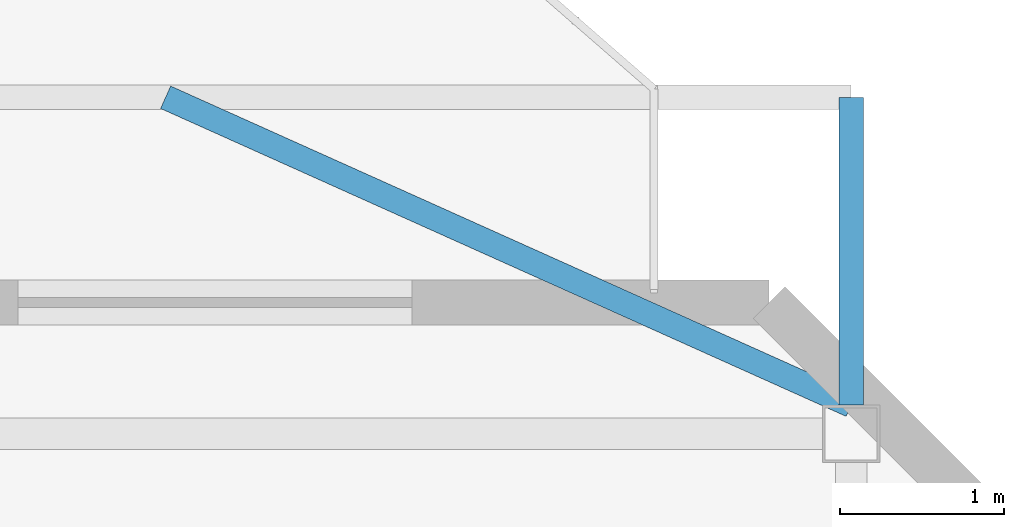
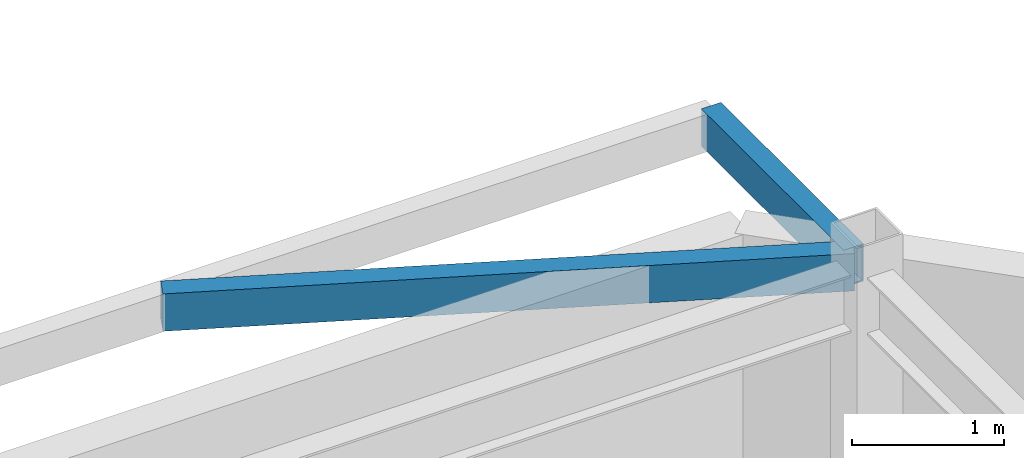
# One storey, part 8 of 15: 2 beams.
"""IFC4 building model written with IfcOpenShell, lengths in metres."""

from ifc_helpers import new_model, si_unit, direction, frame, origin, origin_2d, place, context, subcontext, project, spatial, hollow_rectangle, extrude, material, material_profile, profile_set, type_object, element, save


model = new_model("IFC4")

# Units and contexts
model_context = context("Model", 3, precision=1e-05, world=origin(), true_north=direction((0.0, 1.0)))
body_context = subcontext(model_context, "Body", "Model", "MODEL_VIEW")
ifc_project = project(units=[si_unit("LENGTHUNIT", "METRE"), si_unit("AREAUNIT", "SQUARE_METRE"), si_unit("VOLUMEUNIT", "CUBIC_METRE"), si_unit("PLANEANGLEUNIT", "RADIAN"), si_unit("MASSUNIT", "GRAM", prefix="KILO")], contexts=[model_context])

# Site, building, storey
site_placement = place(None, origin())
site = spatial("IfcSite", under=ifc_project, at=site_placement, CompositionType="ELEMENT")
building_placement = place(site_placement, origin())
building = spatial("IfcBuilding", under=site, at=building_placement, Name="Mawjaban Terraces University", CompositionType="ELEMENT")
storey_placement = place(building_placement, frame((0.0, 0.0, 306.699951171875)))
storey = spatial("IfcBuildingStorey", under=building, at=storey_placement, Name="L75", CompositionType="ELEMENT", Elevation=306.699951171875)

# Beams
ifc_material = material(Name="Steel EN 10210-1 S355J2H", Category="steel")
ifc_material_profile = material_profile(ifc_material, hollow_rectangle(XDim=0.14990234375, YDim=0.300048828125, WallThickness=0.012451171875, at=origin_2d()), Name="RHS300X150X12.5")
ifc_profile_set = profile_set([ifc_material_profile], Name="Steel EN 10210-1 S355J2H")
beam_type = type_object("IfcBeamType", Name="BalconyCantileverSpandrel_RHS", PredefinedType="SPANDREL", material=ifc_profile_set)
beam_1_placement = place(storey_placement, frame((57.800048828125, 15.375, 4.590087890625), z_axis=(0.0, 1.0, 0.0), x_axis=(-1.0, 0.0, 0.0)))
element("IfcBeam", 1, at=beam_1_placement, inside=storey, type_object=beam_type, Name="L75 Exterior Outrigger BAL-L76-N.2", PredefinedType="SPANDREL", context=body_context, shape_type="SweptSolid", body=[
    extrude(hollow_rectangle(XDim=0.14990234375, YDim=0.300048828125, WallThickness=0.012451171875, at=origin_2d()), origin(), (0.0, 0.0, 1.0), 1.875),
])
beam_2_placement = place(storey_placement, frame((57.800048828125, 15.375, 4.590087890625), z_axis=(-0.912229664828, 0.409679189865, 0.0), x_axis=(-0.409679189865, -0.912229664828, 0.0)))
element("IfcBeam", 2, at=beam_2_placement, inside=storey, type_object=beam_type, Name="L75 Exterior Diagonal Strut BAL-L76-N.2", PredefinedType="SPANDREL", context=body_context, shape_type="SweptSolid", body=[
    extrude(hollow_rectangle(XDim=0.14990234375, YDim=0.300048828125, WallThickness=0.012451171875, at=origin_2d()), origin(), (0.0, 0.0, 1.0), 4.57666015625),
])

save(model, "model.ifc")
